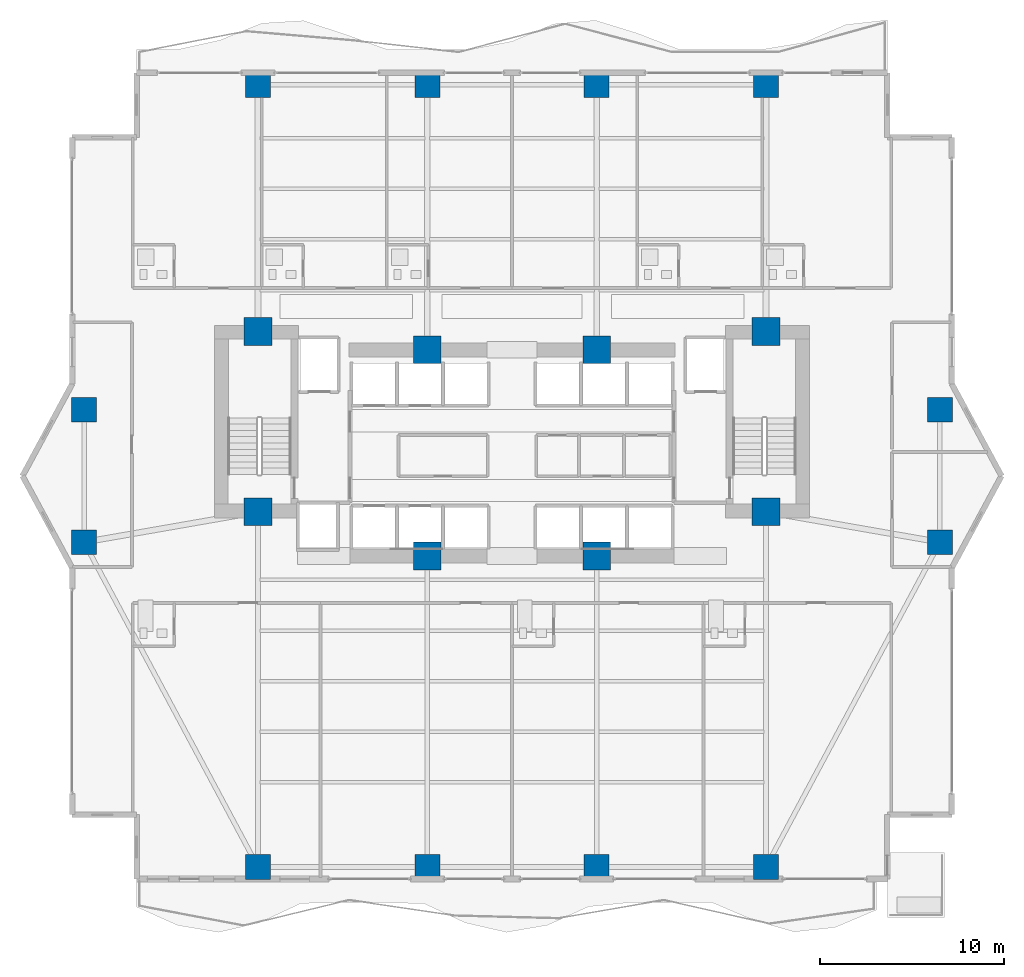
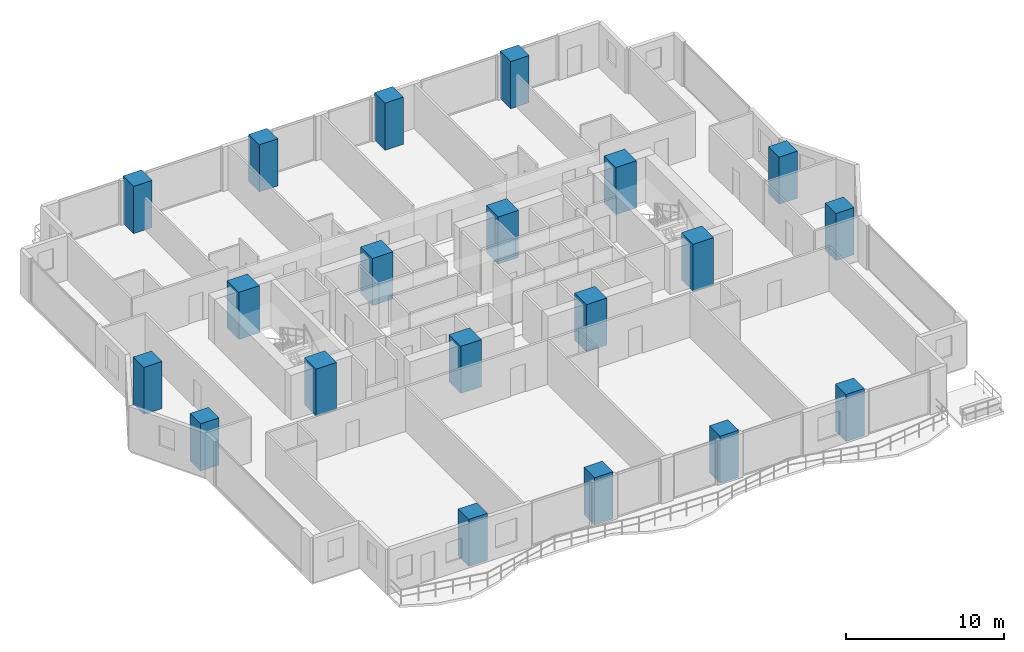
# One storey, part 1 of 30: 20 columns.
"""IFC4 building model written with IfcOpenShell, lengths in metres."""

from ifc_helpers import new_model, si_unit, direction, frame, origin, origin_2d, place, context, subcontext, project, spatial, rectangle, extrude, material, material_profile, profile_set, type_object, element, save


model = new_model("IFC4")

# Units and contexts
model_context = context("Model", 3, precision=1e-05, world=origin(), true_north=direction((0.0, 1.0)))
body_context = subcontext(model_context, "Body", "Model", "MODEL_VIEW")
ifc_project = project(units=[si_unit("LENGTHUNIT", "METRE"), si_unit("AREAUNIT", "SQUARE_METRE"), si_unit("VOLUMEUNIT", "CUBIC_METRE"), si_unit("PLANEANGLEUNIT", "RADIAN"), si_unit("MASSUNIT", "GRAM", prefix="KILO")], contexts=[model_context])

# Site, building, storey
site_placement = place(None, origin())
site = spatial("IfcSite", under=ifc_project, at=site_placement, CompositionType="ELEMENT")
building_placement = place(site_placement, origin())
building = spatial("IfcBuilding", under=site, at=building_placement, Name="Zuhayl Quay Hotel", CompositionType="ELEMENT")
storey_placement = place(building_placement, frame((0.0, 0.0, 128.5)))
storey = spatial("IfcBuildingStorey", under=building, at=storey_placement, Name="L32", CompositionType="ELEMENT", Elevation=128.5)

# Columns
ifc_material = material(Name="Concrete C70/85", Category="concrete")
ifc_material_profile_1 = material_profile(ifc_material, rectangle(XDim=1.5, YDim=1.5, at=origin_2d()), Name="RC1500X1500")
ifc_profile_set_1 = profile_set([ifc_material_profile_1], Name="Concrete C70/85")
column_type_1 = type_object("IfcColumnType", Name="CL_CC1_1500", PredefinedType="COLUMN", material=ifc_profile_set_1)
for number, where, z_axis, x_axis, name in (
    (1, (-13.800048828125, 14.35009765625, 0.0), (0.0, 0.0, 1.0), (1.0, 0.0, 0.0), "L32 Core Column CC_NW"),
    (2, (-4.60009765625, 13.35009765625, 0.0), (0.0, 0.0, 1.0), (1.0, 0.0, 0.0), "L32 Core Column CC_CNW"),
    (3, (4.60009765625, 13.35009765625, 0.0), (0.0, 0.0, 1.0), (1.0, 0.0, 0.0), "L32 Core Column CC_CNE"),
    (4, (13.800048828125, 14.35009765625, 0.0), (0.0, 0.0, 1.0), (1.0, 0.0, 0.0), "L32 Core Column CC_NE"),
    (5, (-13.800048828125, 4.550048828125, 0.0), (0.0, 0.0, 1.0), (1.0, 0.0, 0.0), "L32 Core Column CC_SW"),
    (6, (-4.60009765625, 2.14990234375, 0.0), (0.0, 0.0, 1.0), (1.0, 0.0, 0.0), "L32 Core Column CC_CSW"),
    (7, (4.60009765625, 2.14990234375, 0.0), (0.0, 0.0, 1.0), (1.0, 0.0, 0.0), "L32 Core Column CC_CSE"),
    (8, (13.800048828125, 4.550048828125, 0.0), (0.0, 0.0, 1.0), (1.0, 0.0, 0.0), "L32 Core Column CC_SE"),
):
    element("IfcColumn", number, at=place(storey_placement, frame(where, z_axis=z_axis, x_axis=x_axis)), inside=storey, type_object=column_type_1, Name=name, PredefinedType="COLUMN", context=body_context, shape_type="SweptSolid", body=[
        extrude(rectangle(XDim=1.5, YDim=1.5, at=origin_2d()), origin(), (0.0, 0.0, 1.0), 3.64990234375),
    ])
ifc_material_profile_2 = material_profile(ifc_material, rectangle(XDim=1.35009765625, YDim=1.35009765625, at=origin_2d()), Name="RC1350X1350")
ifc_profile_set_2 = profile_set([ifc_material_profile_2], Name="Concrete C70/85")
column_type_2 = type_object("IfcColumnType", Name="CL_MC2_1350", PredefinedType="COLUMN", material=ifc_profile_set_2)
for number, where, z_axis, x_axis, name in (
    (9, (-13.800048828125, -14.75, 0.0), (0.0, 0.0, 1.0), (1.0, 0.0, 0.0), "L32 Mega-Column MC_S1"),
    (10, (-4.60009765625, -14.75, 0.0), (0.0, 0.0, 1.0), (1.0, 0.0, 0.0), "L32 Mega-Column MC_S2"),
    (11, (4.60009765625, -14.75, 0.0), (0.0, 0.0, 1.0), (1.0, 0.0, 0.0), "L32 Mega-Column MC_S3"),
    (12, (13.800048828125, -14.75, 0.0), (0.0, 0.0, 1.0), (1.0, 0.0, 0.0), "L32 Mega-Column MC_S4"),
    (13, (-13.800048828125, 27.75, 0.0), (0.0, 0.0, 1.0), (1.0, 0.0, 0.0), "L32 Mega-Column MC_N1"),
    (14, (-4.60009765625, 27.75, 0.0), (0.0, 0.0, 1.0), (1.0, 0.0, 0.0), "L32 Mega-Column MC_N2"),
    (15, (4.60009765625, 27.75, 0.0), (0.0, 0.0, 1.0), (1.0, 0.0, 0.0), "L32 Mega-Column MC_N3"),
    (16, (13.800048828125, 27.75, 0.0), (0.0, 0.0, 1.0), (1.0, 0.0, 0.0), "L32 Mega-Column MC_N4"),
    (17, (-23.25, 2.89990234375, 0.0), (0.0, 0.0, 1.0), (1.0, 0.0, 0.0), "L32 Mega-Column MC_W1"),
    (18, (-23.25, 10.10009765625, 0.0), (0.0, 0.0, 1.0), (1.0, 0.0, 0.0), "L32 Mega-Column MC_W2"),
    (19, (23.25, 2.89990234375, 0.0), (0.0, 0.0, 1.0), (1.0, 0.0, 0.0), "L32 Mega-Column MC_E1"),
    (20, (23.25, 10.10009765625, 0.0), (0.0, 0.0, 1.0), (1.0, 0.0, 0.0), "L32 Mega-Column MC_E2"),
):
    element("IfcColumn", number, at=place(storey_placement, frame(where, z_axis=z_axis, x_axis=x_axis)), inside=storey, type_object=column_type_2, Name=name, PredefinedType="COLUMN", context=body_context, shape_type="SweptSolid", body=[
        extrude(rectangle(XDim=1.35009765625, YDim=1.35009765625, at=origin_2d()), origin(), (0.0, 0.0, 1.0), 3.64990234375),
    ])

save(model, "model.ifc")
